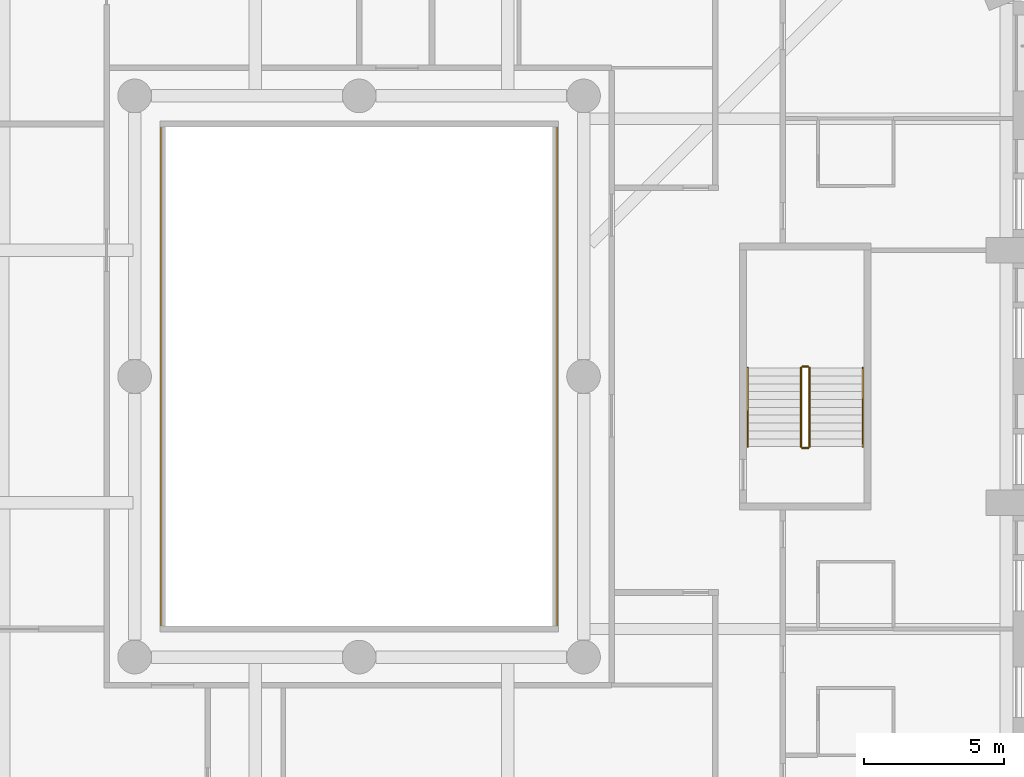
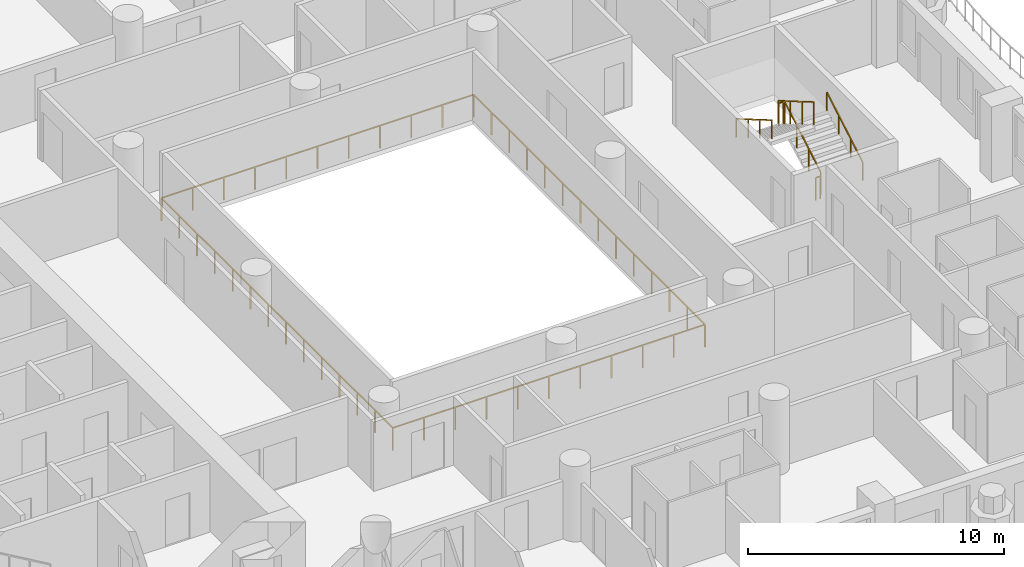
# One storey, part 15 of 20: 7 railings.
"""IFC4 building model written with IfcOpenShell, lengths in metres."""

from ifc_helpers import new_model, si_unit, direction, frame, origin, origin_2d, place, context, subcontext, project, spatial, rectangle, extrude, material, type_object, element, save


model = new_model("IFC4")

# Units and contexts
model_context = context("Model", 3, precision=1e-05, world=origin(), true_north=direction((0.0, 1.0)))
body_context = subcontext(model_context, "Body", "Model", "MODEL_VIEW")
ifc_project = project(units=[si_unit("LENGTHUNIT", "METRE"), si_unit("AREAUNIT", "SQUARE_METRE"), si_unit("VOLUMEUNIT", "CUBIC_METRE"), si_unit("PLANEANGLEUNIT", "RADIAN"), si_unit("MASSUNIT", "GRAM", prefix="KILO")], contexts=[model_context])

# Site, building, storey
site_placement = place(None, origin())
site = spatial("IfcSite", under=ifc_project, at=site_placement, CompositionType="ELEMENT")
building_placement = place(site_placement, origin())
building = spatial("IfcBuilding", under=site, at=building_placement, Name="Cypress Arch Tower", CompositionType="ELEMENT")
storey_placement = place(building_placement, frame((0.0, 0.0, 84.300048828125)))
storey = spatial("IfcBuildingStorey", under=building, at=storey_placement, Name="L15", CompositionType="ELEMENT", Elevation=84.300048828125)

# Railings
ifc_material_1 = material(Name="Stainless steel posts and handrail, laminated glass infill", Category="steel")
railing_type_1 = type_object("IfcRailingType", Name="Atrium guard GR1100A", PredefinedType="GUARDRAIL", material=ifc_material_1)
railing_1_placement = place(storey_placement, frame((8.050048828125, -9.050048828125, 0.0)))
element("IfcRailing", 1, at=railing_1_placement, inside=storey, type_object=railing_type_1, Name="Atrium guard L15", PredefinedType="GUARDRAIL", context=body_context, shape_type="SweptSolid", body=[
    extrude(rectangle(XDim=0.050048828125, YDim=0.050048828125, at=origin_2d()), frame((0.0, 0.0, 1.0751953125), z_axis=(-1.0, 0.0, 0.0), x_axis=(0.0, -1.0, 0.0)), (0.0, 0.0, 1.0), 14.10009765625),
    extrude(rectangle(XDim=0.050048828125, YDim=0.050048828125, at=origin_2d()), frame((-14.10009765625, 0.0, 1.0751953125), z_axis=(0.0, 1.0, 0.0), x_axis=(-1.0, 0.0, 0.0)), (0.0, 0.0, 1.0), 18.10009765625),
    extrude(rectangle(XDim=0.050048828125, YDim=0.050048828125, at=origin_2d()), frame((-14.10009765625, 18.10009765625, 1.0751953125), z_axis=(1.0, 0.0, 0.0), x_axis=(0.0, 1.0, 0.0)), (0.0, 0.0, 1.0), 14.10009765625),
    extrude(rectangle(XDim=0.050048828125, YDim=0.050048828125, at=origin_2d()), frame((0.0, 18.10009765625, 1.0751953125), z_axis=(0.0, -1.0, 0.0), x_axis=(1.0, 0.0, 0.0)), (0.0, 0.0, 1.0), 18.10009765625),
    extrude(rectangle(XDim=0.050048828125, YDim=0.050048828125, at=origin_2d()), origin(), (0.0, 0.0, 1.0), 1.050048828125),
    extrude(rectangle(XDim=0.050048828125, YDim=0.050048828125, at=origin_2d()), frame((-1.409912109375, 0.0, 0.0)), (0.0, 0.0, 1.0), 1.050048828125),
    extrude(rectangle(XDim=0.050048828125, YDim=0.050048828125, at=origin_2d()), frame((-2.820068359375, 0.0, 0.0)), (0.0, 0.0, 1.0), 1.050048828125),
    extrude(rectangle(XDim=0.050048828125, YDim=0.050048828125, at=origin_2d()), frame((-4.22998046875, 0.0, 0.0)), (0.0, 0.0, 1.0), 1.050048828125),
    extrude(rectangle(XDim=0.050048828125, YDim=0.050048828125, at=origin_2d()), frame((-5.64013671875, 0.0, 0.0)), (0.0, 0.0, 1.0), 1.050048828125),
    extrude(rectangle(XDim=0.050048828125, YDim=0.050048828125, at=origin_2d()), frame((-7.050048828125, 0.0, 0.0)), (0.0, 0.0, 1.0), 1.050048828125),
    extrude(rectangle(XDim=0.050048828125, YDim=0.050048828125, at=origin_2d()), frame((-8.4599609375, 0.0, 0.0)), (0.0, 0.0, 1.0), 1.050048828125),
    extrude(rectangle(XDim=0.050048828125, YDim=0.050048828125, at=origin_2d()), frame((-9.8701171875, 0.0, 0.0)), (0.0, 0.0, 1.0), 1.050048828125),
    extrude(rectangle(XDim=0.050048828125, YDim=0.050048828125, at=origin_2d()), frame((-11.280029296875, 0.0, 0.0)), (0.0, 0.0, 1.0), 1.050048828125),
    extrude(rectangle(XDim=0.050048828125, YDim=0.050048828125, at=origin_2d()), frame((-12.690185546875, 0.0, 0.0)), (0.0, 0.0, 1.0), 1.050048828125),
    extrude(rectangle(XDim=0.050048828125, YDim=0.050048828125, at=origin_2d()), frame((-14.10009765625, 0.0, 0.0)), (0.0, 0.0, 1.0), 1.050048828125),
    extrude(rectangle(XDim=0.050048828125, YDim=0.050048828125, at=origin_2d()), frame((-14.10009765625, 1.392333984375, 0.0)), (0.0, 0.0, 1.0), 1.050048828125),
    extrude(rectangle(XDim=0.050048828125, YDim=0.050048828125, at=origin_2d()), frame((-14.10009765625, 2.78466796875, 0.0)), (0.0, 0.0, 1.0), 1.050048828125),
    extrude(rectangle(XDim=0.050048828125, YDim=0.050048828125, at=origin_2d()), frame((-14.10009765625, 4.177001953125, 0.0)), (0.0, 0.0, 1.0), 1.050048828125),
    extrude(rectangle(XDim=0.050048828125, YDim=0.050048828125, at=origin_2d()), frame((-14.10009765625, 5.5693359375, 0.0)), (0.0, 0.0, 1.0), 1.050048828125),
    extrude(rectangle(XDim=0.050048828125, YDim=0.050048828125, at=origin_2d()), frame((-14.10009765625, 6.961669921875, 0.0)), (0.0, 0.0, 1.0), 1.050048828125),
    extrude(rectangle(XDim=0.050048828125, YDim=0.050048828125, at=origin_2d()), frame((-14.10009765625, 8.35400390625, 0.0)), (0.0, 0.0, 1.0), 1.050048828125),
    extrude(rectangle(XDim=0.050048828125, YDim=0.050048828125, at=origin_2d()), frame((-14.10009765625, 9.74609375, 0.0)), (0.0, 0.0, 1.0), 1.050048828125),
    extrude(rectangle(XDim=0.050048828125, YDim=0.050048828125, at=origin_2d()), frame((-14.10009765625, 11.138427734375, 0.0)), (0.0, 0.0, 1.0), 1.050048828125),
    extrude(rectangle(XDim=0.050048828125, YDim=0.050048828125, at=origin_2d()), frame((-14.10009765625, 12.53076171875, 0.0)), (0.0, 0.0, 1.0), 1.050048828125),
    extrude(rectangle(XDim=0.050048828125, YDim=0.050048828125, at=origin_2d()), frame((-14.10009765625, 13.923095703125, 0.0)), (0.0, 0.0, 1.0), 1.050048828125),
    extrude(rectangle(XDim=0.050048828125, YDim=0.050048828125, at=origin_2d()), frame((-14.10009765625, 15.3154296875, 0.0)), (0.0, 0.0, 1.0), 1.050048828125),
    extrude(rectangle(XDim=0.050048828125, YDim=0.050048828125, at=origin_2d()), frame((-14.10009765625, 16.707763671875, 0.0)), (0.0, 0.0, 1.0), 1.050048828125),
    extrude(rectangle(XDim=0.050048828125, YDim=0.050048828125, at=origin_2d()), frame((-14.10009765625, 18.10009765625, 0.0)), (0.0, 0.0, 1.0), 1.050048828125),
    extrude(rectangle(XDim=0.050048828125, YDim=0.050048828125, at=origin_2d()), frame((-12.690185546875, 18.10009765625, 0.0)), (0.0, 0.0, 1.0), 1.050048828125),
    extrude(rectangle(XDim=0.050048828125, YDim=0.050048828125, at=origin_2d()), frame((-11.280029296875, 18.10009765625, 0.0)), (0.0, 0.0, 1.0), 1.050048828125),
    extrude(rectangle(XDim=0.050048828125, YDim=0.050048828125, at=origin_2d()), frame((-9.8701171875, 18.10009765625, 0.0)), (0.0, 0.0, 1.0), 1.050048828125),
    extrude(rectangle(XDim=0.050048828125, YDim=0.050048828125, at=origin_2d()), frame((-8.4599609375, 18.10009765625, 0.0)), (0.0, 0.0, 1.0), 1.050048828125),
    extrude(rectangle(XDim=0.050048828125, YDim=0.050048828125, at=origin_2d()), frame((-7.050048828125, 18.10009765625, 0.0)), (0.0, 0.0, 1.0), 1.050048828125),
    extrude(rectangle(XDim=0.050048828125, YDim=0.050048828125, at=origin_2d()), frame((-5.64013671875, 18.10009765625, 0.0)), (0.0, 0.0, 1.0), 1.050048828125),
    extrude(rectangle(XDim=0.050048828125, YDim=0.050048828125, at=origin_2d()), frame((-4.22998046875, 18.10009765625, 0.0)), (0.0, 0.0, 1.0), 1.050048828125),
    extrude(rectangle(XDim=0.050048828125, YDim=0.050048828125, at=origin_2d()), frame((-2.820068359375, 18.10009765625, 0.0)), (0.0, 0.0, 1.0), 1.050048828125),
    extrude(rectangle(XDim=0.050048828125, YDim=0.050048828125, at=origin_2d()), frame((-1.409912109375, 18.10009765625, 0.0)), (0.0, 0.0, 1.0), 1.050048828125),
    extrude(rectangle(XDim=0.050048828125, YDim=0.050048828125, at=origin_2d()), frame((0.0, 18.10009765625, 0.0)), (0.0, 0.0, 1.0), 1.050048828125),
    extrude(rectangle(XDim=0.050048828125, YDim=0.050048828125, at=origin_2d()), frame((0.0, 16.707763671875, 0.0)), (0.0, 0.0, 1.0), 1.050048828125),
    extrude(rectangle(XDim=0.050048828125, YDim=0.050048828125, at=origin_2d()), frame((0.0, 15.3154296875, 0.0)), (0.0, 0.0, 1.0), 1.050048828125),
    extrude(rectangle(XDim=0.050048828125, YDim=0.050048828125, at=origin_2d()), frame((0.0, 13.923095703125, 0.0)), (0.0, 0.0, 1.0), 1.050048828125),
    extrude(rectangle(XDim=0.050048828125, YDim=0.050048828125, at=origin_2d()), frame((0.0, 12.53076171875, 0.0)), (0.0, 0.0, 1.0), 1.050048828125),
    extrude(rectangle(XDim=0.050048828125, YDim=0.050048828125, at=origin_2d()), frame((0.0, 11.138427734375, 0.0)), (0.0, 0.0, 1.0), 1.050048828125),
    extrude(rectangle(XDim=0.050048828125, YDim=0.050048828125, at=origin_2d()), frame((0.0, 9.74609375, 0.0)), (0.0, 0.0, 1.0), 1.050048828125),
    extrude(rectangle(XDim=0.050048828125, YDim=0.050048828125, at=origin_2d()), frame((0.0, 8.35400390625, 0.0)), (0.0, 0.0, 1.0), 1.050048828125),
    extrude(rectangle(XDim=0.050048828125, YDim=0.050048828125, at=origin_2d()), frame((0.0, 6.961669921875, 0.0)), (0.0, 0.0, 1.0), 1.050048828125),
    extrude(rectangle(XDim=0.050048828125, YDim=0.050048828125, at=origin_2d()), frame((0.0, 5.5693359375, 0.0)), (0.0, 0.0, 1.0), 1.050048828125),
    extrude(rectangle(XDim=0.050048828125, YDim=0.050048828125, at=origin_2d()), frame((0.0, 4.177001953125, 0.0)), (0.0, 0.0, 1.0), 1.050048828125),
    extrude(rectangle(XDim=0.050048828125, YDim=0.050048828125, at=origin_2d()), frame((0.0, 2.78466796875, 0.0)), (0.0, 0.0, 1.0), 1.050048828125),
    extrude(rectangle(XDim=0.050048828125, YDim=0.050048828125, at=origin_2d()), frame((0.0, 1.392333984375, 0.0)), (0.0, 0.0, 1.0), 1.050048828125),
])
ifc_material_2 = material(Name="Black powder-coated steel square bar 48 mm", Category="steel")
railing_type_2 = type_object("IfcRailingType", Name="Stair handrail HR1", PredefinedType="HANDRAIL", material=ifc_material_2)
railing_2_placement = place(storey_placement, frame((18.949951171875, -2.5, 0.16357421875)))
element("IfcRailing", 2, at=railing_2_placement, inside=storey, type_object=railing_type_2, Name="L15 C stair handrail 1", PredefinedType="HANDRAIL", context=body_context, shape_type="SweptSolid", body=[
    extrude(rectangle(XDim=0.048095703125, YDim=0.048095703125, at=origin_2d()), frame((0.0, 0.0, 0.8759765625), z_axis=(0.0, 0.863360870873, 0.504586966384), x_axis=(-1.0, 0.0, 0.0)), (0.0, 0.0, 1.0), 3.2431640625),
    extrude(rectangle(XDim=0.0419921875, YDim=0.0419921875, at=origin_2d()), origin(), (0.0, 0.0, 1.0), 0.851806640625),
    extrude(rectangle(XDim=0.0419921875, YDim=0.0419921875, at=origin_2d()), frame((0.0, 0.933349609375, 0.54541015625)), (0.0, 0.0, 1.0), 0.851806640625),
    extrude(rectangle(XDim=0.0419921875, YDim=0.0419921875, at=origin_2d()), frame((0.0, 1.86669921875, 1.091064453125)), (0.0, 0.0, 1.0), 0.851806640625),
    extrude(rectangle(XDim=0.0419921875, YDim=0.0419921875, at=origin_2d()), frame((0.0, 2.800048828125, 1.636474609375)), (0.0, 0.0, 1.0), 0.851806640625),
])
railing_3_placement = place(storey_placement, frame((14.85009765625, 0.300048828125, 1.963623046875)))
element("IfcRailing", 3, at=railing_3_placement, inside=storey, type_object=railing_type_2, Name="L15 C stair handrail 2", PredefinedType="HANDRAIL", context=body_context, shape_type="SweptSolid", body=[
    extrude(rectangle(XDim=0.048095703125, YDim=0.048095703125, at=origin_2d()), frame((0.0, 0.0, 0.8759765625), z_axis=(0.0, -0.863393664356, 0.504530851732), x_axis=(1.0, 0.0, 0.0)), (0.0, 0.0, 1.0), 3.2431640625),
    extrude(rectangle(XDim=0.0419921875, YDim=0.0419921875, at=origin_2d()), origin(), (0.0, 0.0, 1.0), 0.851806640625),
    extrude(rectangle(XDim=0.0419921875, YDim=0.0419921875, at=origin_2d()), frame((0.0, -0.933349609375, 0.54541015625)), (0.0, 0.0, 1.0), 0.851806640625),
    extrude(rectangle(XDim=0.0419921875, YDim=0.0419921875, at=origin_2d()), frame((0.0, -1.86669921875, 1.0908203125)), (0.0, 0.0, 1.0), 0.851806640625),
    extrude(rectangle(XDim=0.0419921875, YDim=0.0419921875, at=origin_2d()), frame((0.0, -2.800048828125, 1.63623046875)), (0.0, 0.0, 1.0), 0.851806640625),
])
ifc_material_3 = material(Name="Black powder-coated steel balusters", Category="steel")
railing_type_3 = type_object("IfcRailingType", Name="Stair well guard G1", PredefinedType="GUARDRAIL", material=ifc_material_3)
railing_4_placement = place(storey_placement, frame((17.050048828125, -2.5, 0.16357421875)))
element("IfcRailing", 4, at=railing_4_placement, inside=storey, type_object=railing_type_3, Name="L15 C stair guard 1", PredefinedType="GUARDRAIL", context=body_context, shape_type="SweptSolid", body=[
    extrude(rectangle(XDim=0.048095703125, YDim=0.048095703125, at=origin_2d()), frame((0.0, 0.0, 1.076171875), z_axis=(0.0, 0.863360870873, 0.504586966384), x_axis=(-1.0, 0.0, 0.0)), (0.0, 0.0, 1.0), 3.2431640625),
    extrude(rectangle(XDim=0.0419921875, YDim=0.0419921875, at=origin_2d()), origin(), (0.0, 0.0, 1.0), 1.052001953125),
    extrude(rectangle(XDim=0.0419921875, YDim=0.0419921875, at=origin_2d()), frame((0.0, 0.933349609375, 0.54541015625)), (0.0, 0.0, 1.0), 1.052001953125),
    extrude(rectangle(XDim=0.0419921875, YDim=0.0419921875, at=origin_2d()), frame((0.0, 1.86669921875, 1.091064453125)), (0.0, 0.0, 1.0), 1.052001953125),
    extrude(rectangle(XDim=0.0419921875, YDim=0.0419921875, at=origin_2d()), frame((0.0, 2.800048828125, 1.636474609375)), (0.0, 0.0, 1.0), 1.052001953125),
])
railing_5_placement = place(storey_placement, frame((17.0, 0.35009765625, 1.800048828125)))
element("IfcRailing", 5, at=railing_5_placement, inside=storey, type_object=railing_type_3, Name="L15 C stair guard 2", PredefinedType="GUARDRAIL", context=body_context, shape_type="SweptSolid", body=[
    extrude(rectangle(XDim=0.048095703125, YDim=0.048095703125, at=origin_2d()), frame((0.0, 0.0, 1.076171875), z_axis=(-1.0, 0.0, 0.0), x_axis=(0.0, -1.0, 0.0)), (0.0, 0.0, 1.0), 0.199951171875),
    extrude(rectangle(XDim=0.0419921875, YDim=0.0419921875, at=origin_2d()), origin(), (0.0, 0.0, 1.0), 1.052001953125),
    extrude(rectangle(XDim=0.0419921875, YDim=0.0419921875, at=origin_2d()), frame((-0.199951171875, 0.0, 0.0)), (0.0, 0.0, 1.0), 1.052001953125),
])
railing_6_placement = place(storey_placement, frame((16.75, 0.300048828125, 1.963623046875)))
element("IfcRailing", 6, at=railing_6_placement, inside=storey, type_object=railing_type_3, Name="L15 C stair guard 3", PredefinedType="GUARDRAIL", context=body_context, shape_type="SweptSolid", body=[
    extrude(rectangle(XDim=0.048095703125, YDim=0.048095703125, at=origin_2d()), frame((0.0, 0.0, 1.076171875), z_axis=(0.0, -0.863393664356, 0.504530851732), x_axis=(1.0, 0.0, 0.0)), (0.0, 0.0, 1.0), 3.2431640625),
    extrude(rectangle(XDim=0.0419921875, YDim=0.0419921875, at=origin_2d()), origin(), (0.0, 0.0, 1.0), 1.052001953125),
    extrude(rectangle(XDim=0.0419921875, YDim=0.0419921875, at=origin_2d()), frame((0.0, -0.933349609375, 0.54541015625)), (0.0, 0.0, 1.0), 1.052001953125),
    extrude(rectangle(XDim=0.0419921875, YDim=0.0419921875, at=origin_2d()), frame((0.0, -1.86669921875, 1.0908203125)), (0.0, 0.0, 1.0), 1.052001953125),
    extrude(rectangle(XDim=0.0419921875, YDim=0.0419921875, at=origin_2d()), frame((0.0, -2.800048828125, 1.63623046875)), (0.0, 0.0, 1.0), 1.052001953125),
])
railing_7_placement = place(storey_placement, frame((17.0, -2.550048828125, 0.0)))
element("IfcRailing", 7, at=railing_7_placement, inside=storey, type_object=railing_type_3, Name="L15 C stair guard 4", PredefinedType="GUARDRAIL", context=body_context, shape_type="SweptSolid", body=[
    extrude(rectangle(XDim=0.048095703125, YDim=0.048095703125, at=origin_2d()), frame((0.0, 0.0, 1.076171875), z_axis=(-1.0, 0.0, 0.0), x_axis=(0.0, -1.0, 0.0)), (0.0, 0.0, 1.0), 0.199951171875),
    extrude(rectangle(XDim=0.0419921875, YDim=0.0419921875, at=origin_2d()), origin(), (0.0, 0.0, 1.0), 1.052001953125),
    extrude(rectangle(XDim=0.0419921875, YDim=0.0419921875, at=origin_2d()), frame((-0.199951171875, 0.0, 0.0)), (0.0, 0.0, 1.0), 1.052001953125),
])

save(model, "model.ifc")
